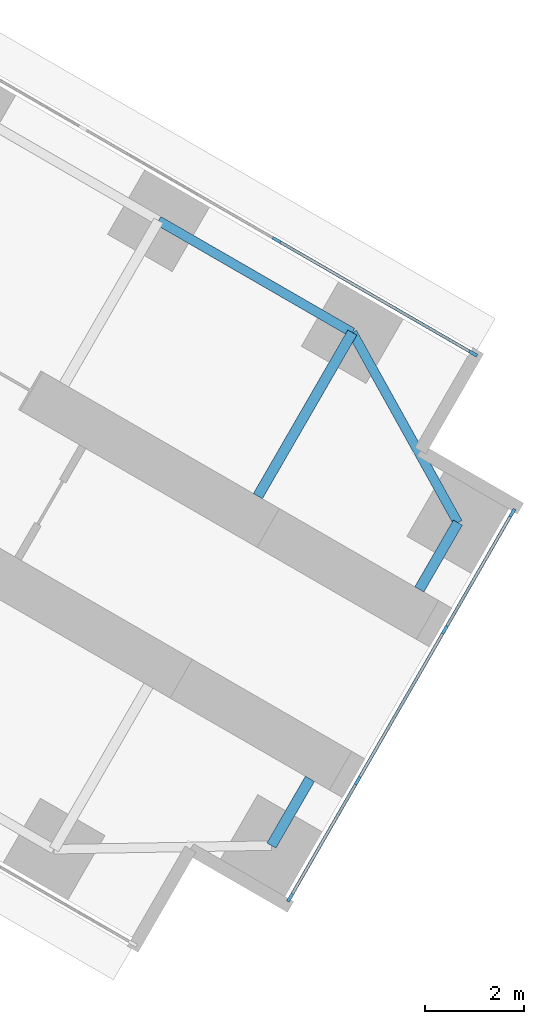
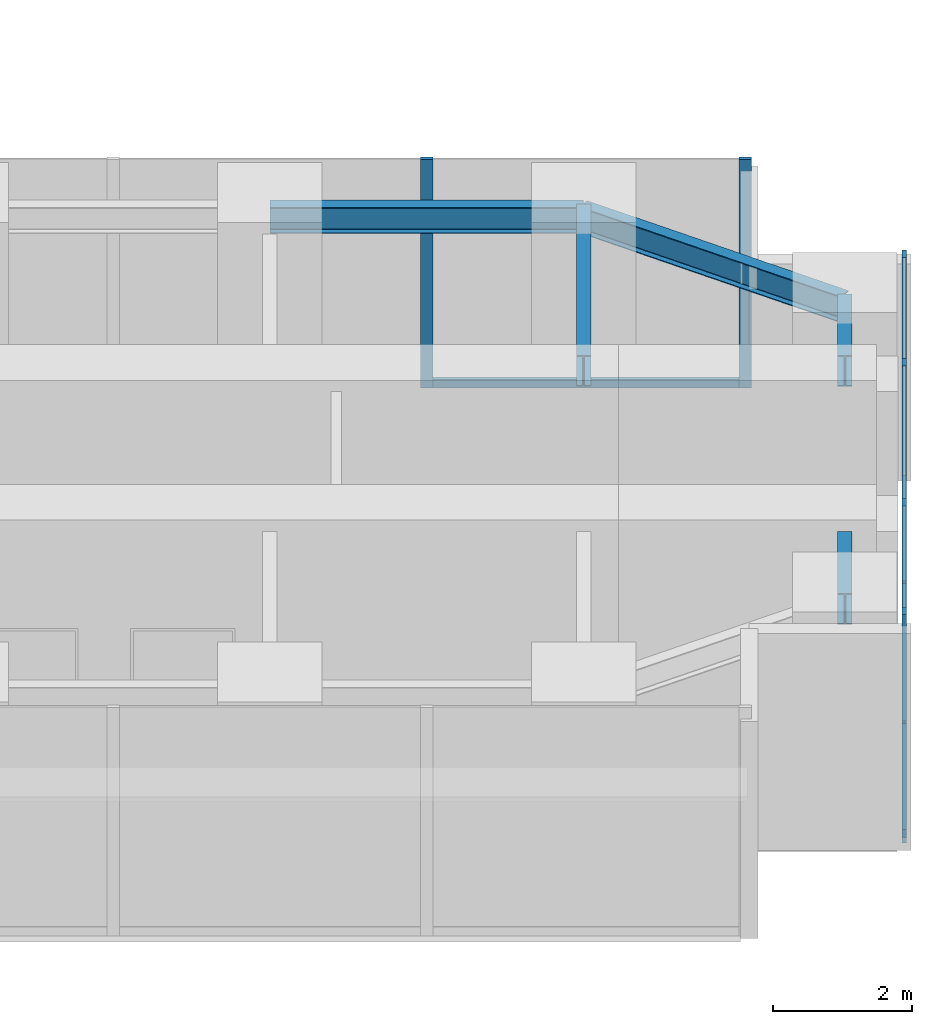
# One storey, part 12 of 23: 10 members, 5 beams, 2 elements without a shape of their own.
"""IFC4 building model written with IfcOpenShell, lengths in metres."""

from ifc_helpers import new_model, si_unit, direction, frame, origin, origin_2d, place, context, subcontext, project, spatial, rectangle, i_section, extrude, material, material_profile, profile_set, type_object, element, aggregate, save


model = new_model("IFC4")

# Units and contexts
model_context = context("Model", 3, precision=1e-05, world=origin(), true_north=direction((0.0, 1.0)))
body_context = subcontext(model_context, "Body", "Model", "MODEL_VIEW")
ifc_project = project(units=[si_unit("LENGTHUNIT", "METRE"), si_unit("AREAUNIT", "SQUARE_METRE"), si_unit("VOLUMEUNIT", "CUBIC_METRE"), si_unit("PLANEANGLEUNIT", "RADIAN"), si_unit("MASSUNIT", "GRAM", prefix="KILO")], contexts=[model_context])

# Site, building, storey
site_placement = place(None, origin())
site = spatial("IfcSite", under=ifc_project, at=site_placement, CompositionType="ELEMENT")
building_placement = place(site_placement, origin())
building = spatial("IfcBuilding", under=site, at=building_placement, Name="Upepo Twin Towers", CompositionType="ELEMENT")
storey_placement = place(building_placement, frame((0.0, 0.0, 24.5)))
storey = spatial("IfcBuildingStorey", under=building, at=storey_placement, Name="L05", CompositionType="ELEMENT", Elevation=24.5)

# Beams
ifc_material_1 = material(Name="Steel S355", Category="steel")
ifc_material_profile_1 = material_profile(ifc_material_1, i_section(OverallWidth=0.1904296875, OverallDepth=0.45703125, WebThickness=0.009033203125, FlangeThickness=0.014404296875, FilletRadius=0.01025390625, at=origin_2d()), Name="UB 457x191x74")
ifc_profile_set_1 = profile_set([ifc_material_profile_1], Name="Steel S355")
beam_type_1 = type_object("IfcBeamType", Name="Beam UB 457x191x74", PredefinedType="BEAM", material=ifc_profile_set_1)
beam_1_placement = place(storey_placement, frame((77.08837890625, -21.803955078125, 3.571533203125), z_axis=(0.866031096941, -0.499990139034, 0.0), x_axis=(0.499990139034, 0.866031096941, 0.0)))
element("IfcBeam", 1, at=beam_1_placement, inside=storey, type_object=beam_type_1, Name="T2 edge beam CL 18.0-22.5", PredefinedType="BEAM", context=body_context, shape_type="SweptSolid", body=[
    extrude(i_section(OverallWidth=0.1904296875, OverallDepth=0.45703125, WebThickness=0.009033203125, FlangeThickness=0.014404296875, FilletRadius=0.01025390625, at=origin_2d()), origin(), (0.0, 0.0, 1.0), 4.5),
])
beam_2_placement = place(storey_placement, frame((80.985595703125, -24.053955078125, 3.571533203125), z_axis=(0.485363242752, -0.874312600038, 0.0), x_axis=(0.874312600038, 0.485363242752, 0.0)))
element("IfcBeam", 2, at=beam_2_placement, inside=storey, type_object=beam_type_1, Name="T2 nose edge beam CL", PredefinedType="BEAM", context=body_context, shape_type="SweptSolid", body=[
    extrude(i_section(OverallWidth=0.1904296875, OverallDepth=0.45703125, WebThickness=0.009033203125, FlangeThickness=0.014404296875, FilletRadius=0.01025390625, at=origin_2d()), origin(), (0.0, 0.0, 1.0), 4.373046875),
])
ifc_material_2 = material(Name="Steel S355", Category="steel")
ifc_material_profile_2 = material_profile(ifc_material_2, i_section(OverallWidth=0.2099609375, OverallDepth=0.53662109375, WebThickness=0.0107421875, FlangeThickness=0.017333984375, FilletRadius=0.0126953125, at=origin_2d()), Name="UB 533x210x101")
ifc_profile_set_2 = profile_set([ifc_material_profile_2], Name="Steel S355")
beam_type_2 = type_object("IfcBeamType", Name="Beam UB 533x210x101", PredefinedType="BEAM", material=ifc_profile_set_2)
for number, where, z_axis, x_axis, name in (
    (3, (83.108154296875, -27.87744140625, 3.53173828125), (-0.499967891604, -0.866043940782, 0.0), (0.866043940782, -0.499967891604, 0.0), "T2 nose beam CL"),
    (4, (79.358154296875, -34.37255859375, 3.53173828125), (0.499967891604, 0.866043940782, 0.0), (-0.866043940782, 0.499967891604, 0.0), "T2 nose beam CR"),
):
    element("IfcBeam", number, at=place(storey_placement, frame(where, z_axis=z_axis, x_axis=x_axis)), inside=storey, type_object=beam_type_2, Name=name, PredefinedType="BEAM", context=body_context, shape_type="SweptSolid", body=[
        extrude(i_section(OverallWidth=0.2099609375, OverallDepth=0.53662109375, WebThickness=0.0107421875, FlangeThickness=0.017333984375, FilletRadius=0.0126953125, at=origin_2d()), origin(), (0.0, 0.0, 1.0), 1.5498046875),
    ])
ifc_material_3 = material(Name="Steel S355", Category="steel")
ifc_material_profile_3 = material_profile(ifc_material_3, i_section(OverallWidth=0.209228515625, OverallDepth=0.533203125, WebThickness=0.010009765625, FlangeThickness=0.015625, FilletRadius=0.0126953125, at=origin_2d()), Name="UB 533x210x92")
ifc_profile_set_3 = profile_set([ifc_material_profile_3], Name="Steel S355")
beam_type_3 = type_object("IfcBeamType", Name="Beam UB 533x210x92", PredefinedType="BEAM", material=ifc_profile_set_3)
beam_3_placement = place(storey_placement, frame((80.985595703125, -24.053955078125, 3.533447265625), z_axis=(-0.499994975061, -0.866028304915, 0.0), x_axis=(0.866028304915, -0.499994975061, 0.0)))
element("IfcBeam", 5, at=beam_3_placement, inside=storey, type_object=beam_type_3, Name="T2 girder CL at 22.5", PredefinedType="BEAM", context=body_context, shape_type="SweptSolid", body=[
    extrude(i_section(OverallWidth=0.209228515625, OverallDepth=0.533203125, WebThickness=0.010009765625, FlangeThickness=0.015625, FilletRadius=0.0126953125, at=origin_2d()), origin(), (0.0, 0.0, 1.0), 3.7998046875),
])

# Curtain wall, members
ifc_material_4 = material(Name="Aluminium and fritted glass", Category="aluminium")
curtain_wall_type = type_object("IfcCurtainWallType", Name="Tower curtain wall TW1, fritted glass", PredefinedType="NOTDEFINED", material=ifc_material_4)
curtain_wall_1_placement = place(storey_placement, origin())
curtain_wall_1 = element("IfcCurtainWall", 6, at=curtain_wall_1_placement, inside=storey, type_object=curtain_wall_type, Name="T2 L05 wing C flank L curtain wall", PredefinedType="NOTDEFINED")
ifc_material_5 = material(Name="Aluminium mullion", Category="aluminium")
ifc_material_profile_4 = material_profile(ifc_material_5, rectangle(XDim=0.06494140625, YDim=0.179931640625, at=origin_2d()), Name="MULLION 65x180")
ifc_profile_set_4 = profile_set([ifc_material_profile_4], Name="Aluminium mullion")
member_type_1 = type_object("IfcMemberType", Name="Mullion 65x180 TW1", PredefinedType="MULLION", material=ifc_profile_set_4)
member_1_placement = place(storey_placement, frame((79.4619140625, -22.192626953125, 0.0), z_axis=(0.0, 0.0, 1.0), x_axis=(0.500000024426, 0.866025389682, 0.0)))
member_1 = element("IfcMember", 7, at=member_1_placement, type_object=member_type_1, Name="T2 L05 wing C flank L curtain wall mullion 3", PredefinedType="MULLION", context=body_context, shape_type="SweptSolid", body=[
    extrude(rectangle(XDim=0.06494140625, YDim=0.179931640625, at=origin_2d()), origin(), (0.0, 0.0, 1.0), 4.0),
])
member_2_placement = place(storey_placement, frame((83.41748046875, -24.4765625, 0.0), z_axis=(0.0, 0.0, 1.0), x_axis=(0.500000024426, 0.866025389682, 0.0)))
member_2 = element("IfcMember", 8, at=member_2_placement, type_object=member_type_1, Name="T2 L05 wing C flank L curtain wall mullion 4", PredefinedType="MULLION", context=body_context, shape_type="SweptSolid", body=[
    extrude(rectangle(XDim=0.06494140625, YDim=0.179931640625, at=origin_2d()), origin(), (0.0, 0.0, 1.0), 4.0),
])

curtain_wall_2_placement = place(storey_placement, origin())
curtain_wall_2 = element("IfcCurtainWall", 9, at=curtain_wall_2_placement, inside=storey, type_object=curtain_wall_type, Name="T2 L05 wing C nose curtain wall", PredefinedType="NOTDEFINED")
member_3_placement = place(storey_placement, frame((79.735595703125, -35.4189453125, 0.0), z_axis=(0.0, 0.0, 1.0), x_axis=(-0.866025386174, 0.500000030502, 0.0)))
member_3 = element("IfcMember", 10, at=member_3_placement, type_object=member_type_1, Name="T2 L05 wing C nose curtain wall mullion 1", PredefinedType="MULLION", context=body_context, shape_type="SweptSolid", body=[
    extrude(rectangle(XDim=0.06494140625, YDim=0.179931640625, at=origin_2d()), origin(), (0.0, 0.0, 1.0), 4.0),
])
member_4_placement = place(storey_placement, frame((81.09423828125, -33.0654296875, 0.0), z_axis=(0.0, 0.0, 1.0), x_axis=(-0.866025386174, 0.500000030502, 0.0)))
member_4 = element("IfcMember", 11, at=member_4_placement, type_object=member_type_1, Name="T2 L05 wing C nose curtain wall mullion 2", PredefinedType="MULLION", context=body_context, shape_type="SweptSolid", body=[
    extrude(rectangle(XDim=0.06494140625, YDim=0.179931640625, at=origin_2d()), origin(), (0.0, 0.0, 1.0), 4.0),
])
member_5_placement = place(storey_placement, frame((82.84423828125, -30.034423828125, 0.0), z_axis=(0.0, 0.0, 1.0), x_axis=(-0.866025386174, 0.500000030502, 0.0)))
member_5 = element("IfcMember", 12, at=member_5_placement, type_object=member_type_1, Name="T2 L05 wing C nose curtain wall mullion 3", PredefinedType="MULLION", context=body_context, shape_type="SweptSolid", body=[
    extrude(rectangle(XDim=0.06494140625, YDim=0.179931640625, at=origin_2d()), origin(), (0.0, 0.0, 1.0), 4.0),
])
member_6_placement = place(storey_placement, frame((84.203125, -27.68115234375, 0.0), z_axis=(0.0, 0.0, 1.0), x_axis=(-0.866025386174, 0.500000030502, 0.0)))
member_6 = element("IfcMember", 13, at=member_6_placement, type_object=member_type_1, Name="T2 L05 wing C nose curtain wall mullion 4", PredefinedType="MULLION", context=body_context, shape_type="SweptSolid", body=[
    extrude(rectangle(XDim=0.06494140625, YDim=0.179931640625, at=origin_2d()), origin(), (0.0, 0.0, 1.0), 4.0),
])

# Member
ifc_material_6 = material(Name="Aluminium transom", Category="aluminium")
ifc_material_profile_5 = material_profile(ifc_material_6, rectangle(XDim=0.06494140625, YDim=0.14990234375, at=origin_2d()), Name="TRANSOM 65x150")
ifc_profile_set_5 = profile_set([ifc_material_profile_5], Name="Aluminium transom")
member_type_2 = type_object("IfcMemberType", Name="Transom 65x150 TW1", PredefinedType="USERDEFINED", material=ifc_profile_set_5)
member_7_placement = place(storey_placement, frame((79.490234375, -22.208984375, 0.074951171875), z_axis=(0.866022143554, -0.500005646842, 0.0), x_axis=(0.500005646842, 0.866022143554, 0.0)))
member_7 = element("IfcMember", 14, at=member_7_placement, type_object=member_type_2, Name="T2 L05 wing C flank L curtain wall transom 3", ObjectType="TRANSOM", PredefinedType="USERDEFINED", context=body_context, shape_type="SweptSolid", body=[
    extrude(rectangle(XDim=0.06494140625, YDim=0.14990234375, at=origin_2d()), origin(), (0.0, 0.0, 1.0), 4.50244140625),
])

aggregate(curtain_wall_1, [member_1, member_2, member_7])

member_8_placement = place(storey_placement, frame((79.751708984375, -35.390869140625, 0.074951171875), z_axis=(0.500049101008, 0.865997053448, 0.0), x_axis=(-0.865997053448, 0.500049101008, 0.0)))
member_8 = element("IfcMember", 15, at=member_8_placement, type_object=member_type_2, Name="T2 L05 wing C nose curtain wall transom 1", ObjectType="TRANSOM", PredefinedType="USERDEFINED", context=body_context, shape_type="SweptSolid", body=[
    extrude(rectangle(XDim=0.06494140625, YDim=0.14990234375, at=origin_2d()), origin(), (0.0, 0.0, 1.0), 2.652587890625),
])

member_9_placement = place(storey_placement, frame((81.110595703125, -33.037353515625, 0.074951171875), z_axis=(0.499999305434, 0.866025804792, 0.0), x_axis=(-0.866025804792, 0.499999305434, 0.0)))
member_9 = element("IfcMember", 16, at=member_9_placement, type_object=member_type_2, Name="T2 L05 wing C nose curtain wall transom 2", ObjectType="TRANSOM", PredefinedType="USERDEFINED", context=body_context, shape_type="SweptSolid", body=[
    extrude(rectangle(XDim=0.06494140625, YDim=0.14990234375, at=origin_2d()), origin(), (0.0, 0.0, 1.0), 3.43505859375),
])

member_10_placement = place(storey_placement, frame((82.860595703125, -30.00634765625, 0.074951171875), z_axis=(0.499980071345, 0.866036909293, 0.0), x_axis=(-0.866036909293, 0.499980071345, 0.0)))
member_10 = element("IfcMember", 17, at=member_10_placement, type_object=member_type_2, Name="T2 L05 wing C nose curtain wall transom 3", ObjectType="TRANSOM", PredefinedType="USERDEFINED", context=body_context, shape_type="SweptSolid", body=[
    extrude(rectangle(XDim=0.06494140625, YDim=0.14990234375, at=origin_2d()), origin(), (0.0, 0.0, 1.0), 2.65234375),
])

aggregate(curtain_wall_2, [member_3, member_4, member_5, member_6, member_8, member_9, member_10])

save(model, "model.ifc")
